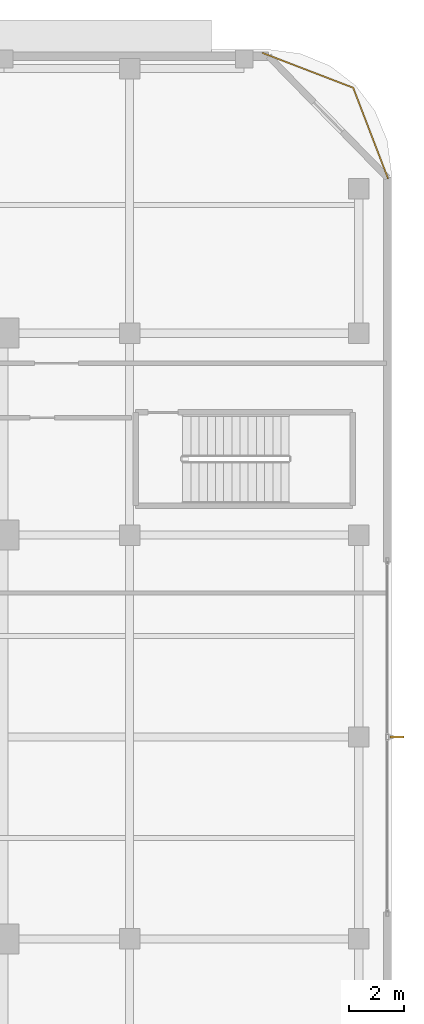
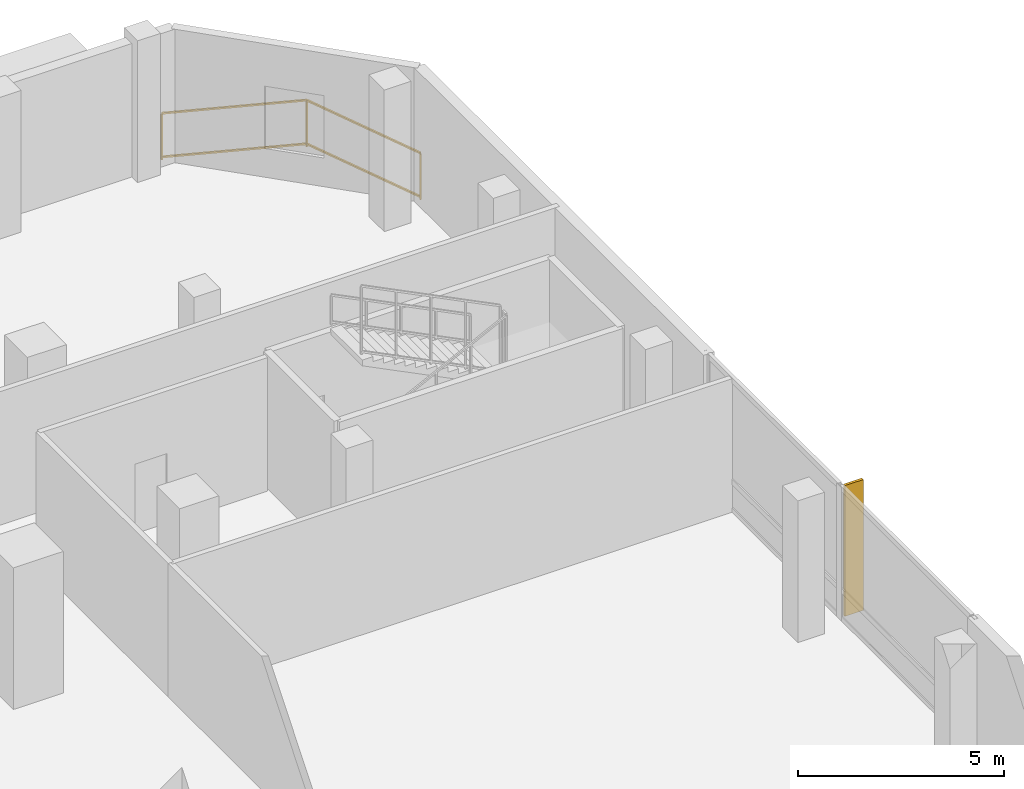
# One storey, part 19 of 19: 1 railing, 1 shading device.
"""IFC4 building model written with IfcOpenShell, lengths in metres."""

from ifc_helpers import new_model, si_unit, direction, frame, origin, origin_2d, place, context, subcontext, project, spatial, rectangle, extrude, material, layer, layer_set, type_object, element, save


model = new_model("IFC4")

# Units and contexts
model_context = context("Model", 3, precision=1e-05, world=origin(), true_north=direction((0.0, 1.0)))
body_context = subcontext(model_context, "Body", "Model", "MODEL_VIEW")
ifc_project = project(units=[si_unit("LENGTHUNIT", "METRE"), si_unit("AREAUNIT", "SQUARE_METRE"), si_unit("VOLUMEUNIT", "CUBIC_METRE"), si_unit("PLANEANGLEUNIT", "RADIAN"), si_unit("MASSUNIT", "GRAM", prefix="KILO")], contexts=[model_context])

# Site, building, storey
site_placement = place(None, origin())
site = spatial("IfcSite", under=ifc_project, at=site_placement, CompositionType="ELEMENT")
building_placement = place(site_placement, origin())
building = spatial("IfcBuilding", under=site, at=building_placement, Name="Khorvyn Point Tower", CompositionType="ELEMENT")
storey_placement = place(building_placement, frame((0.0, 0.0, 17.39990234375)))
storey = spatial("IfcBuildingStorey", under=building, at=storey_placement, Name="L05", CompositionType="ELEMENT", Elevation=17.39990234375)

# Shading device
ifc_material_1 = material(Name="Bronze anodised aluminium 6063-T6", Category="aluminium")
ifc_layer = layer(ifc_material_1, 0.074951171875)
ifc_layer_set = layer_set([ifc_layer], Name="Bronze Anodised Aluminium FIN 520x75")
shading_device_type = type_object("IfcShadingDeviceType", Name="Bronze Anodised Aluminium FIN 520x75", PredefinedType="USERDEFINED", material=ifc_layer_set)
shading_device_placement = place(storey_placement, frame((33.800048828125, 0.0, 0.0400390625), z_axis=(0.0, 0.0, 1.0), x_axis=(1.0, 0.0, 0.0)))
element("IfcShadingDevice", 1, at=shading_device_placement, inside=storey, type_object=shading_device_type, Name="L05 Anodised FIN 01", ObjectType="FIN", PredefinedType="USERDEFINED", context=body_context, shape_type="SweptSolid", body=[
    extrude(rectangle(XDim=0.52001953125, YDim=0.074951171875, at=origin_2d()), origin(), (0.0, 0.0, 1.0), 3.8798828125),
])

# Railing
ifc_material_2 = material(Name="Anodised aluminium 6063-T6 and laminated safety glass", Category="aluminium")
railing_type = type_object("IfcRailingType", Name="Laminated Glass and Aluminium Balcony Guardrail 1400", PredefinedType="BALUSTRADE", material=ifc_material_2)
railing_placement = place(storey_placement, frame((33.47412109375, 20.470703125, 0.0)))
element("IfcRailing", 2, at=railing_placement, inside=storey, type_object=railing_type, Name="L05 Rounded Corner Edge Guardrail NE", PredefinedType="BALUSTRADE", context=body_context, shape_type="SweptSolid", body=[
    extrude(rectangle(XDim=0.048095703125, YDim=0.048095703125, at=origin_2d()), frame((0.0, 0.0, 1.3759765625), z_axis=(-0.35841886047, 0.933560882031, 0.0), x_axis=(-0.933560882031, -0.35841886047, 0.0)), (0.0, 0.0, 1.0), 3.563232421875),
    extrude(rectangle(XDim=0.048095703125, YDim=0.048095703125, at=origin_2d()), frame((0.0, 0.0, 0.080078125), z_axis=(-0.35841886047, 0.933560882031, 0.0), x_axis=(-0.933560882031, -0.35841886047, 0.0)), (0.0, 0.0, 1.0), 3.563232421875),
    extrude(rectangle(XDim=0.048095703125, YDim=0.048095703125, at=origin_2d()), frame((-1.277099609375, 3.326416015625, 1.3759765625), z_axis=(-0.933575007025, 0.358382067435, 0.0), x_axis=(-0.358382067435, -0.933575007025, 0.0)), (0.0, 0.0, 1.0), 3.562744140625),
    extrude(rectangle(XDim=0.048095703125, YDim=0.048095703125, at=origin_2d()), frame((-1.277099609375, 3.326416015625, 0.080078125), z_axis=(-0.933575007025, 0.358382067435, 0.0), x_axis=(-0.358382067435, -0.933575007025, 0.0)), (0.0, 0.0, 1.0), 3.562744140625),
    extrude(rectangle(XDim=0.0419921875, YDim=0.0419921875, at=origin_2d()), origin(), (0.0, 0.0, 1.0), 1.351806640625),
    extrude(rectangle(XDim=0.0419921875, YDim=0.0419921875, at=origin_2d()), frame((-1.277099609375, 3.326416015625, 0.0)), (0.0, 0.0, 1.0), 1.351806640625),
    extrude(rectangle(XDim=0.0419921875, YDim=0.0419921875, at=origin_2d()), frame((-4.603271484375, 4.603271484375, 0.0)), (0.0, 0.0, 1.0), 1.351806640625),
])

save(model, "model.ifc")
